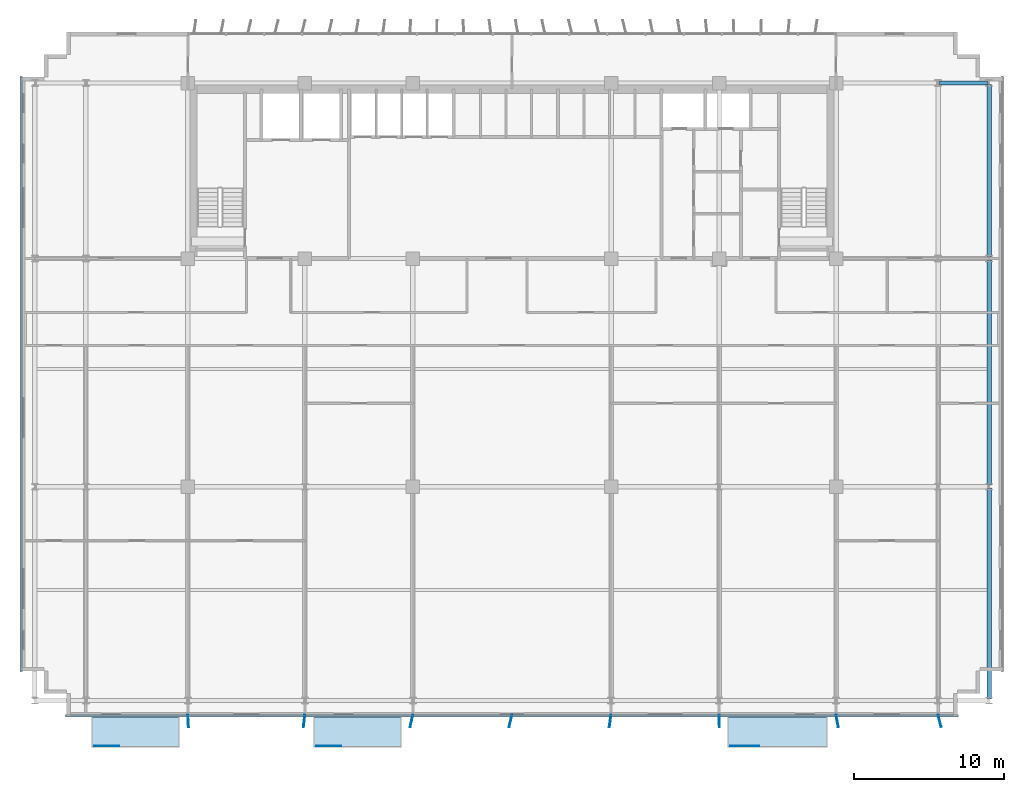
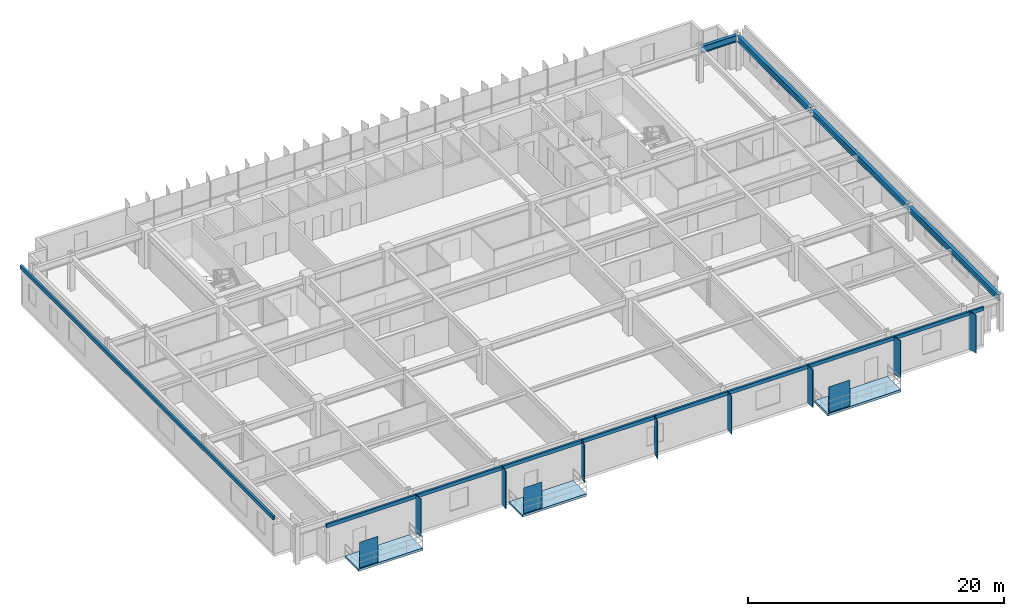
# One storey, part 13 of 21: 13 plates, 4 beams, 3 slabs.
"""IFC4 building model written with IfcOpenShell, lengths in metres."""

from ifc_helpers import new_model, si_unit, direction, frame, origin, origin_2d, place, context, subcontext, project, spatial, polyline, rectangle, i_section, outline, extrude, source, transform, mapped, material, layer, layer_set, material_profile, profile_set, type_object, element, save


model = new_model("IFC4")

# Units and contexts
model_context = context("Model", 3, precision=1e-05, world=origin(), true_north=direction((0.0, 1.0)))
body_context = subcontext(model_context, "Body", "Model", "MODEL_VIEW")
ifc_project = project(units=[si_unit("LENGTHUNIT", "METRE"), si_unit("AREAUNIT", "SQUARE_METRE"), si_unit("VOLUMEUNIT", "CUBIC_METRE"), si_unit("PLANEANGLEUNIT", "RADIAN"), si_unit("MASSUNIT", "GRAM", prefix="KILO")], contexts=[model_context])

# Site, building, storey
site_placement = place(None, origin())
site = spatial("IfcSite", under=ifc_project, at=site_placement, CompositionType="ELEMENT")
building_placement = place(site_placement, origin())
building = spatial("IfcBuilding", under=site, at=building_placement, Name="Trelvane Seafront Commons", CompositionType="ELEMENT")
storey_placement = place(building_placement, frame((0.0, 0.0, 34.300048828125)))
storey = spatial("IfcBuildingStorey", under=building, at=storey_placement, Name="L08", CompositionType="ELEMENT", Elevation=34.300048828125)

# Beams
ifc_material_1 = material(Name="Steel SM355 (S355)", Category="steel")
ifc_material_profile_1 = material_profile(ifc_material_1, i_section(OverallWidth=0.280029296875, OverallDepth=0.64990234375, WebThickness=0.012939453125, FlangeThickness=0.02197265625, at=origin_2d()), Name="H-650x280x13x22")
ifc_profile_set_1 = profile_set([ifc_material_profile_1], Name="Steel SM355 (S355)")
beam_type_1 = type_object("IfcBeamType", Name="STR-BM-H650", PredefinedType="BEAM", material=ifc_profile_set_1)
shared_shape_1 = source(origin(), body_context, "Body", "SweptSolid", [
    extrude(i_section(OverallWidth=0.280029296875, OverallDepth=0.64990234375, WebThickness=0.012939453125, FlangeThickness=0.02197265625, at=origin_2d()), origin(), (0.0, 0.0, 1.0), 3.18994140625),
])
beam_1_placement = place(storey_placement, frame((65.705078125, 45.10009765625, 3.014892578125), z_axis=(1.0, 0.0, 0.0), x_axis=(0.0, 1.0, 0.0)))
element("IfcBeam", 1, at=beam_1_placement, inside=storey, type_object=beam_type_1, Name="L08 Primary Girder G-36", PredefinedType="BEAM", context=body_context, shape_type="MappedRepresentation", body=[
    mapped(shared_shape_1, transform((0.0, 0.0, 0.0), x_axis=(1.0, 0.0, 0.0), y_axis=(0.0, 1.0, 0.0), z_axis=(0.0, 0.0, 1.0), scale=1.0)),
])
ifc_material_profile_2 = material_profile(ifc_material_1, i_section(OverallWidth=0.300048828125, OverallDepth=0.587890625, WebThickness=0.011962890625, FlangeThickness=0.02001953125, at=origin_2d()), Name="H-588x300x12x20")
ifc_profile_set_2 = profile_set([ifc_material_profile_2], Name="Steel SM355 (S355)")
beam_type_2 = type_object("IfcBeamType", Name="STR-BM-H588", PredefinedType="BEAM", material=ifc_profile_set_2)
shared_shape_2 = source(origin(), body_context, "Body", "SweptSolid", [
    extrude(i_section(OverallWidth=0.300048828125, OverallDepth=0.587890625, WebThickness=0.011962890625, FlangeThickness=0.02001953125, at=origin_2d()), origin(), (0.0, 0.0, 1.0), 14.0400390625),
])
beam_2_placement = place(storey_placement, frame((69.0, 4.054931640625, 3.0458984375), z_axis=(0.0, 1.0, 0.0), x_axis=(-1.0, 0.0, 0.0)))
element("IfcBeam", 2, at=beam_2_placement, inside=storey, type_object=beam_type_2, Name="L08 Primary Girder G-64", PredefinedType="BEAM", context=body_context, shape_type="MappedRepresentation", body=[
    mapped(shared_shape_2, transform((0.0, 0.0, 0.0), x_axis=(1.0, 0.0, 0.0), y_axis=(0.0, 1.0, 0.0), z_axis=(0.0, 0.0, 1.0), scale=1.0)),
])
shared_shape_3 = source(origin(), body_context, "Body", "SweptSolid", [
    extrude(i_section(OverallWidth=0.300048828125, OverallDepth=0.587890625, WebThickness=0.011962890625, FlangeThickness=0.02001953125, at=origin_2d()), origin(), (0.0, 0.0, 1.0), 14.989990234375),
])
beam_3_placement = place(storey_placement, frame((69.0, 18.304931640625, 3.0458984375), z_axis=(0.0, 1.0, 0.0), x_axis=(-1.0, 0.0, 0.0)))
element("IfcBeam", 3, at=beam_3_placement, inside=storey, type_object=beam_type_2, Name="L08 Primary Girder G-65", PredefinedType="BEAM", context=body_context, shape_type="MappedRepresentation", body=[
    mapped(shared_shape_3, transform((0.0, 0.0, 0.0), x_axis=(1.0, 0.0, 0.0), y_axis=(0.0, 1.0, 0.0), z_axis=(0.0, 0.0, 1.0), scale=1.0)),
])
shared_shape_4 = source(origin(), body_context, "Body", "SweptSolid", [
    extrude(i_section(OverallWidth=0.300048828125, OverallDepth=0.587890625, WebThickness=0.011962890625, FlangeThickness=0.02001953125, at=origin_2d()), origin(), (0.0, 0.0, 1.0), 11.490234375),
])
beam_4_placement = place(storey_placement, frame((69.0, 33.5048828125, 3.0458984375), z_axis=(0.0, 1.0, 0.0), x_axis=(-1.0, 0.0, 0.0)))
element("IfcBeam", 4, at=beam_4_placement, inside=storey, type_object=beam_type_2, Name="L08 Primary Girder G-66", PredefinedType="BEAM", context=body_context, shape_type="MappedRepresentation", body=[
    mapped(shared_shape_4, transform((0.0, 0.0, 0.0), x_axis=(1.0, 0.0, 0.0), y_axis=(0.0, 1.0, 0.0), z_axis=(0.0, 0.0, 1.0), scale=1.0)),
])

# Slabs
ifc_material_2 = material(Name="Concrete C40/50", Category="concrete")
ifc_layer_1 = layer(ifc_material_2, 0.219970703125, Name="ARCH-BALC-220")
ifc_layer_set_1 = layer_set([ifc_layer_1], Name="Concrete C40/50")
slab_type = type_object("IfcSlabType", Name="ARCH-BALC-220", PredefinedType="FLOOR", material=ifc_layer_set_1)
slab_1_placement = place(storey_placement, frame((0.0, 0.0, -0.219970703125)))
element("IfcSlab", 5, at=slab_1_placement, inside=storey, type_object=slab_type, Name="L08 Cantilevered Tree Balcony Loggia 1", PredefinedType="FLOOR", context=body_context, shape_type="SweptSolid", body=[
    extrude(outline(polyline([(9.199951171875, 0.800048828125), (15.0, 0.800048828125), (15.0, 2.89990234375), (9.199951171875, 2.89990234375), (9.199951171875, 0.800048828125)])), origin(), (0.0, 0.0, 1.0), 0.219970703125),
])
slab_2_placement = place(storey_placement, frame((0.0, 0.0, -0.219970703125)))
element("IfcSlab", 6, at=slab_2_placement, inside=storey, type_object=slab_type, Name="L08 Cantilevered Tree Balcony Loggia 2", PredefinedType="FLOOR", context=body_context, shape_type="SweptSolid", body=[
    extrude(outline(polyline([(24.0, 0.800048828125), (29.800048828125, 0.800048828125), (29.800048828125, 2.89990234375), (24.0, 2.89990234375), (24.0, 0.800048828125)])), origin(), (0.0, 0.0, 1.0), 0.219970703125),
])
slab_3_placement = place(storey_placement, frame((0.0, 0.0, -0.219970703125)))
element("IfcSlab", 7, at=slab_3_placement, inside=storey, type_object=slab_type, Name="L08 Cantilevered Tree Balcony Loggia 3", PredefinedType="FLOOR", context=body_context, shape_type="SweptSolid", body=[
    extrude(outline(polyline([(51.60009765625, 0.800048828125), (58.199951171875, 0.800048828125), (58.199951171875, 2.89990234375), (51.60009765625, 2.89990234375), (51.60009765625, 0.800048828125)])), origin(), (0.0, 0.0, 1.0), 0.219970703125),
])

# Plates
ifc_material_3 = material(Name="Perforated anodised aluminium screen", Category="aluminium")
ifc_layer_2 = layer(ifc_material_3, 0.01611328125, Name="ARCH-PLATE-SCREEN")
ifc_layer_set_2 = layer_set([ifc_layer_2], Name="Perforated anodised aluminium screen")
plate_type_1 = type_object("IfcPlateType", Name="ARCH-PLATE-SCREEN", PredefinedType="USERDEFINED", material=ifc_layer_set_2)
shared_shape_5 = source(origin(), body_context, "Body", "SweptSolid", [
    extrude(rectangle(XDim=1.9140625, YDim=0.01611328125, at=origin_2d()), origin(), (0.0, 0.0, 1.0), 2.449951171875),
])
plate_1_placement = place(storey_placement, frame((52.70703125, 0.919921875, 0.0), z_axis=(0.0, 0.0, 1.0), x_axis=(1.0, 0.0, 0.0)))
element("IfcPlate", 8, at=plate_1_placement, inside=storey, type_object=plate_type_1, Name="SCR-L08-00029", ObjectType="SCREEN", PredefinedType="USERDEFINED", context=body_context, shape_type="MappedRepresentation", body=[
    mapped(shared_shape_5, transform((0.0, 0.0, 0.0), x_axis=(1.0, 0.0, 0.0), y_axis=(0.0, 1.0, 0.0), z_axis=(0.0, 0.0, 1.0), scale=1.0)),
])
shared_shape_6 = source(origin(), body_context, "Body", "SweptSolid", [
    extrude(rectangle(XDim=1.681884765625, YDim=0.01611328125, at=origin_2d()), origin(), (0.0, 0.0, 1.0), 2.449951171875),
])
for number, where, z_axis, x_axis, name in (
    (9, (10.19091796875, 0.919921875, 0.0), (0.0, 0.0, 1.0), (1.0, 0.0, 0.0), "SCR-L08-00027"),
    (10, (24.990966796875, 0.919921875, 0.0), (0.0, 0.0, 1.0), (1.0, 0.0, 0.0), "SCR-L08-00028"),
):
    element("IfcPlate", number, at=place(storey_placement, frame(where, z_axis=z_axis, x_axis=x_axis)), inside=storey, type_object=plate_type_1, Name=name, ObjectType="SCREEN", PredefinedType="USERDEFINED", context=body_context, shape_type="MappedRepresentation", body=[
        mapped(shared_shape_6, transform((0.0, 0.0, 0.0), x_axis=(1.0, 0.0, 0.0), y_axis=(0.0, 1.0, 0.0), z_axis=(0.0, 0.0, 1.0), scale=1.0)),
    ])
ifc_material_4 = material(Name="Anodised pale-silver aluminium", Category="aluminium")
ifc_layer_3 = layer(ifc_material_4, 0.06005859375, Name="ARCH-PLATE-FIN900")
ifc_layer_set_3 = layer_set([ifc_layer_3], Name="Anodised pale-silver aluminium")
plate_type_2 = type_object("IfcPlateType", Name="ARCH-PLATE-FIN900", PredefinedType="USERDEFINED", material=ifc_layer_set_3)
shared_shape_7 = source(origin(), body_context, "Body", "SweptSolid", [
    extrude(rectangle(XDim=0.85009765625, YDim=0.06005859375, at=origin_2d()), origin(), (0.0, 0.0, 1.0), 3.639892578125),
])
for number, where, z_axis, x_axis, name in (
    (11, (15.62158203125, 2.575439453125, -0.02001953125), (0.0, 0.0, 1.0), (0.051058340694, -0.998695672287, 0.0), "FIN-S-L08-00124"),
    (12, (23.351318359375, 2.577880859375, -0.02001953125), (0.0, 0.0, 1.0), (-0.114588657156, -0.99341302571, 0.0), "FIN-S-L08-00125"),
    (13, (30.50439453125, 2.5859375, -0.02001953125), (0.0, 0.0, 1.0), (-0.224833711549, -0.974397148062, 0.0), "FIN-S-L08-00126"),
    (14, (37.102294921875, 2.58642578125, -0.02001953125), (0.0, 0.0, 1.0), (-0.230003876959, -0.973189712535, 0.0), "FIN-S-L08-00127"),
    (15, (43.74560546875, 2.57861328125, -0.02001953125), (0.0, 0.0, 1.0), (-0.127885145477, -0.991788984395, 0.0), "FIN-S-L08-00128"),
    (16, (51.015380859375, 2.5751953125, -0.02001953125), (0.0, 0.0, 1.0), (0.035879757274, -0.999356114215, 0.0), "FIN-S-L08-00129"),
    (17, (58.87744140625, 2.58203125, -0.02001953125), (0.0, 0.0, 1.0), (0.182113680741, -0.983277482345, 0.0), "FIN-S-L08-00130"),
    (18, (65.702880859375, 2.587646484375, -0.02001953125), (0.0, 0.0, 1.0), (0.241871090703, -0.970308391947, 0.0), "FIN-S-L08-00131"),
):
    element("IfcPlate", number, at=place(storey_placement, frame(where, z_axis=z_axis, x_axis=x_axis)), inside=storey, type_object=plate_type_2, Name=name, ObjectType="FIN", PredefinedType="USERDEFINED", context=body_context, shape_type="MappedRepresentation", body=[
        mapped(shared_shape_7, transform((0.0, 0.0, 0.0), x_axis=(1.0, 0.0, 0.0), y_axis=(0.0, 1.0, 0.0), z_axis=(0.0, 0.0, 1.0), scale=1.0)),
    ])
ifc_layer_4 = layer(ifc_material_4, 0.179931640625, Name="ARCH-PLATE-AERO")
ifc_layer_set_4 = layer_set([ifc_layer_4], Name="Anodised pale-silver aluminium")
plate_type_3 = type_object("IfcPlateType", Name="ARCH-PLATE-AERO", PredefinedType="SHEET", material=ifc_layer_set_4)
shared_shape_8 = source(origin(), body_context, "Body", "SweptSolid", [
    extrude(rectangle(XDim=39.60009765625, YDim=0.179931640625, at=origin_2d()), origin(), (0.0, 0.0, 1.0), 0.340087890625),
])
plate_2_placement = place(storey_placement, frame((4.5, 25.699951171875, 3.27978515625), z_axis=(0.0, 0.0, 1.0), x_axis=(0.0, 1.0, 0.0)))
element("IfcPlate", 19, at=plate_2_placement, inside=storey, type_object=plate_type_3, Name="AER-L08-00025", PredefinedType="SHEET", context=body_context, shape_type="MappedRepresentation", body=[
    mapped(shared_shape_8, transform((0.0, 0.0, 0.0), x_axis=(1.0, 0.0, 0.0), y_axis=(0.0, 1.0, 0.0), z_axis=(0.0, 0.0, 1.0), scale=1.0)),
])
shared_shape_9 = source(origin(), body_context, "Body", "SweptSolid", [
    extrude(rectangle(XDim=59.39990234375, YDim=0.179931640625, at=origin_2d()), origin(), (0.0, 0.0, 1.0), 0.340087890625),
])
plate_3_placement = place(storey_placement, frame((37.199951171875, 2.93994140625, 3.27978515625), z_axis=(0.0, 0.0, 1.0), x_axis=(-1.0, 0.0, 0.0)))
element("IfcPlate", 20, at=plate_3_placement, inside=storey, type_object=plate_type_3, Name="AER-S-L08-00030", PredefinedType="SHEET", context=body_context, shape_type="MappedRepresentation", body=[
    mapped(shared_shape_9, transform((0.0, 0.0, 0.0), x_axis=(1.0, 0.0, 0.0), y_axis=(0.0, 1.0, 0.0), z_axis=(0.0, 0.0, 1.0), scale=1.0)),
])

save(model, "model.ifc")
